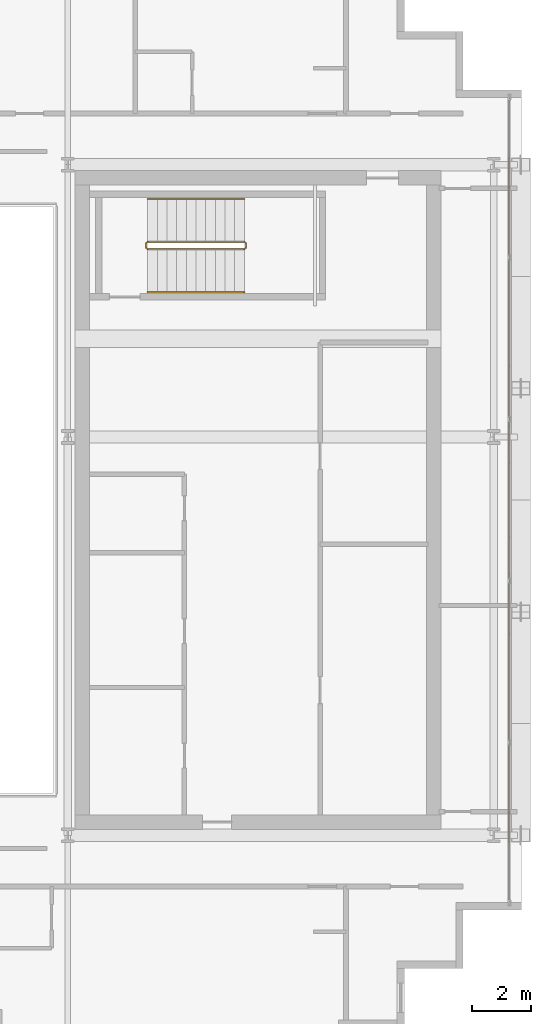
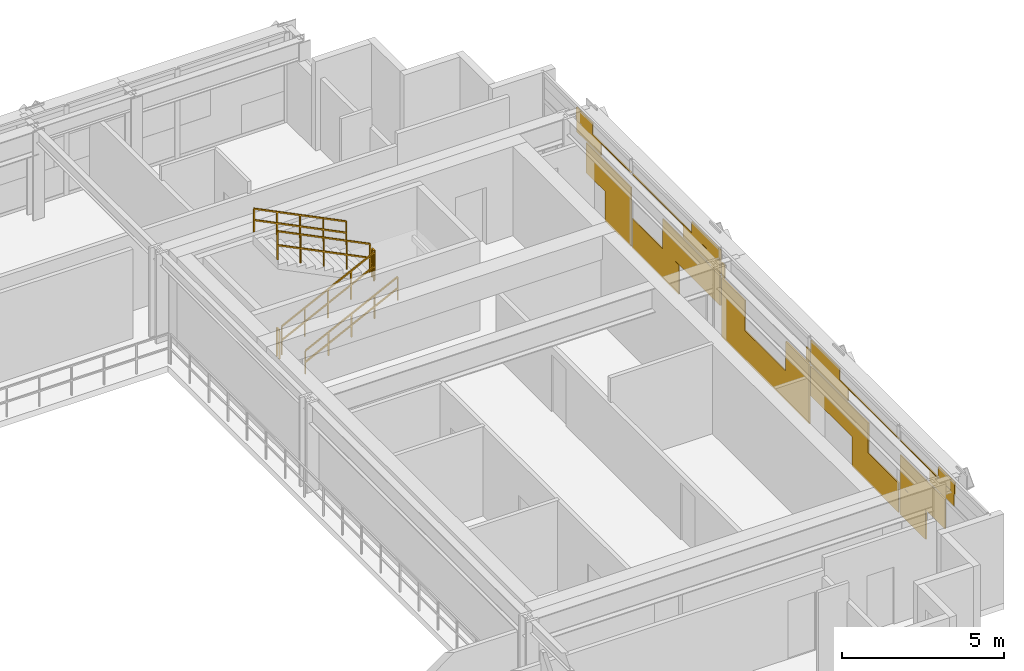
# One storey, part 30 of 31: 6 railings, 1 covering.
"""IFC4 building model written with IfcOpenShell, lengths in metres."""

from ifc_helpers import new_model, si_unit, direction, frame, origin, origin_2d, place, context, subcontext, project, spatial, rectangle, extrude, material, layer, layer_set, type_object, element, save


model = new_model("IFC4")

# Units and contexts
model_context = context("Model", 3, precision=1e-05, world=origin(), true_north=direction((0.0, 1.0)))
body_context = subcontext(model_context, "Body", "Model", "MODEL_VIEW")
ifc_project = project(units=[si_unit("LENGTHUNIT", "METRE"), si_unit("AREAUNIT", "SQUARE_METRE"), si_unit("VOLUMEUNIT", "CUBIC_METRE"), si_unit("PLANEANGLEUNIT", "RADIAN"), si_unit("MASSUNIT", "GRAM", prefix="KILO")], contexts=[model_context])

# Site, building, storey
site_placement = place(None, origin())
site = spatial("IfcSite", under=ifc_project, at=site_placement, CompositionType="ELEMENT")
building_placement = place(site_placement, origin())
building = spatial("IfcBuilding", under=site, at=building_placement, Name="Ocotamira Hotel", CompositionType="ELEMENT")
storey_placement = place(building_placement, frame((0.0, 0.0, 199.199951171875)))
storey = spatial("IfcBuildingStorey", under=building, at=storey_placement, Name="L50", CompositionType="ELEMENT", Elevation=199.199951171875)

# Covering
ifc_material_1 = material(Name="Insulated pale-metal aluminium spandrel panel", Category="aluminium")
ifc_layer = layer(ifc_material_1, 0.044921875)
ifc_layer_set = layer_set([ifc_layer], Name="Insulated pale-metal aluminium spandrel panel")
covering_type = type_object("IfcCoveringType", Name="COV-INFILL-45", PredefinedType="CLADDING", material=ifc_layer_set)
covering_placement = place(storey_placement, origin())
element("IfcCovering", 1, at=covering_placement, inside=storey, type_object=covering_type, Name="L50 Curtain Wall Infill CW-4 CW-L50-E", PredefinedType="CLADDING", context=body_context, shape_type="SweptSolid", body=[
    extrude(rectangle(XDim=2.782958984375, YDim=0.044921875, at=origin_2d()), frame((55.580078125, 16.2880859375, 1.1943359375), z_axis=(0.0, 0.0, 1.0), x_axis=(0.0, 1.0, 0.0)), (0.0, 0.0, 1.0), 1.11767578125),
    extrude(rectangle(XDim=1.596923828125, YDim=0.044921875, at=origin_2d()), frame((55.580078125, 16.881103515625, 0.07568359375), z_axis=(0.0, 0.0, 1.0), x_axis=(0.0, 1.0, 0.0)), (0.0, 0.0, 1.0), 1.117919921875),
    extrude(rectangle(XDim=3.38720703125, YDim=0.044921875, at=origin_2d()), frame((55.580078125, 15.98583984375, 2.848876953125), z_axis=(0.0, 0.0, 1.0), x_axis=(0.0, 1.0, 0.0)), (0.0, 0.0, 1.0), 0.033203125),
    extrude(rectangle(XDim=1.019287109375, YDim=0.044921875, at=origin_2d()), frame((55.580078125, 14.8017578125, 2.883056640625), z_axis=(0.0, 0.0, 1.0), x_axis=(0.0, 1.0, 0.0)), (0.0, 0.0, 1.0), 0.41162109375),
    extrude(rectangle(XDim=1.507568359375, YDim=0.044921875, at=origin_2d()), frame((55.580078125, 15.082275390625, 2.38818359375), z_axis=(0.0, 0.0, 1.0), x_axis=(0.0, 1.0, 0.0)), (0.0, 0.0, 1.0), 0.459716796875),
    extrude(rectangle(XDim=2.89013671875, YDim=0.044921875, at=origin_2d()), frame((55.580078125, 19.20556640625, 0.07568359375), z_axis=(0.0, 0.0, 1.0), x_axis=(0.0, 1.0, 0.0)), (0.0, 0.0, 1.0), 1.117919921875),
    extrude(rectangle(XDim=3.568115234375, YDim=0.044921875, at=origin_2d()), frame((55.580078125, 21.41552734375, 1.1943359375), z_axis=(0.0, 0.0, 1.0), x_axis=(0.0, 1.0, 0.0)), (0.0, 0.0, 1.0), 1.11767578125),
    extrude(rectangle(XDim=5.43896484375, YDim=0.044921875, at=origin_2d()), frame((55.580078125, 20.47998046875, 2.848876953125), z_axis=(0.0, 0.0, 1.0), x_axis=(0.0, 1.0, 0.0)), (0.0, 0.0, 1.0), 0.033203125),
    extrude(rectangle(XDim=2.302490234375, YDim=0.044921875, at=origin_2d()), frame((55.580078125, 22.04833984375, 2.38818359375), z_axis=(0.0, 0.0, 1.0), x_axis=(0.0, 1.0, 0.0)), (0.0, 0.0, 1.0), 0.459716796875),
    extrude(rectangle(XDim=1.777587890625, YDim=0.044921875, at=origin_2d()), frame((55.580078125, 22.310791015625, 2.883056640625), z_axis=(0.0, 0.0, 1.0), x_axis=(0.0, 1.0, 0.0)), (0.0, 0.0, 1.0), 0.41162109375),
    extrude(rectangle(XDim=5.43896484375, YDim=0.044921875, at=origin_2d()), frame((55.580078125, 26.0, 0.07568359375), z_axis=(0.0, 0.0, 1.0), x_axis=(0.0, 1.0, 0.0)), (0.0, 0.0, 1.0), 1.117919921875),
    extrude(rectangle(XDim=1.45458984375, YDim=0.044921875, at=origin_2d()), frame((55.580078125, 24.0078125, 1.1943359375), z_axis=(0.0, 0.0, 1.0), x_axis=(0.0, 1.0, 0.0)), (0.0, 0.0, 1.0), 1.11767578125),
    extrude(rectangle(XDim=1.45458984375, YDim=0.044921875, at=origin_2d()), frame((55.580078125, 27.9921875, 1.1943359375), z_axis=(0.0, 0.0, 1.0), x_axis=(0.0, 1.0, 0.0)), (0.0, 0.0, 1.0), 1.11767578125),
    extrude(rectangle(XDim=0.18896484375, YDim=0.044921875, at=origin_2d()), frame((55.580078125, 23.375, 2.38818359375), z_axis=(0.0, 0.0, 1.0), x_axis=(0.0, 1.0, 0.0)), (0.0, 0.0, 1.0), 0.493896484375),
    extrude(rectangle(XDim=0.18896484375, YDim=0.044921875, at=origin_2d()), frame((55.580078125, 28.625, 2.38818359375), z_axis=(0.0, 0.0, 1.0), x_axis=(0.0, 1.0, 0.0)), (0.0, 0.0, 1.0), 0.493896484375),
    extrude(rectangle(XDim=3.568115234375, YDim=0.044921875, at=origin_2d()), frame((55.580078125, 30.58447265625, 1.1943359375), z_axis=(0.0, 0.0, 1.0), x_axis=(0.0, 1.0, 0.0)), (0.0, 0.0, 1.0), 1.11767578125),
    extrude(rectangle(XDim=2.89013671875, YDim=0.044921875, at=origin_2d()), frame((55.580078125, 32.79443359375, 0.07568359375), z_axis=(0.0, 0.0, 1.0), x_axis=(0.0, 1.0, 0.0)), (0.0, 0.0, 1.0), 1.117919921875),
    extrude(rectangle(XDim=2.302490234375, YDim=0.044921875, at=origin_2d()), frame((55.580078125, 29.95166015625, 2.38818359375), z_axis=(0.0, 0.0, 1.0), x_axis=(0.0, 1.0, 0.0)), (0.0, 0.0, 1.0), 0.459716796875),
    extrude(rectangle(XDim=5.43896484375, YDim=0.044921875, at=origin_2d()), frame((55.580078125, 31.52001953125, 2.848876953125), z_axis=(0.0, 0.0, 1.0), x_axis=(0.0, 1.0, 0.0)), (0.0, 0.0, 1.0), 0.033203125),
    extrude(rectangle(XDim=1.777587890625, YDim=0.044921875, at=origin_2d()), frame((55.580078125, 29.689208984375, 2.883056640625), z_axis=(0.0, 0.0, 1.0), x_axis=(0.0, 1.0, 0.0)), (0.0, 0.0, 1.0), 0.41162109375),
    extrude(rectangle(XDim=1.596923828125, YDim=0.044921875, at=origin_2d()), frame((55.580078125, 35.118896484375, 0.07568359375), z_axis=(0.0, 0.0, 1.0), x_axis=(0.0, 1.0, 0.0)), (0.0, 0.0, 1.0), 1.117919921875),
    extrude(rectangle(XDim=2.782958984375, YDim=0.044921875, at=origin_2d()), frame((55.580078125, 35.7119140625, 1.1943359375), z_axis=(0.0, 0.0, 1.0), x_axis=(0.0, 1.0, 0.0)), (0.0, 0.0, 1.0), 1.11767578125),
    extrude(rectangle(XDim=3.38720703125, YDim=0.044921875, at=origin_2d()), frame((55.580078125, 36.01416015625, 2.848876953125), z_axis=(0.0, 0.0, 1.0), x_axis=(0.0, 1.0, 0.0)), (0.0, 0.0, 1.0), 0.033203125),
    extrude(rectangle(XDim=1.507568359375, YDim=0.044921875, at=origin_2d()), frame((55.580078125, 36.917724609375, 2.38818359375), z_axis=(0.0, 0.0, 1.0), x_axis=(0.0, 1.0, 0.0)), (0.0, 0.0, 1.0), 0.459716796875),
    extrude(rectangle(XDim=1.019287109375, YDim=0.044921875, at=origin_2d()), frame((55.580078125, 37.1982421875, 2.883056640625), z_axis=(0.0, 0.0, 1.0), x_axis=(0.0, 1.0, 0.0)), (0.0, 0.0, 1.0), 0.41162109375),
])

# Railings
ifc_material_2 = material(Name="Brushed stainless steel handrail", Category="steel")
railing_type_1 = type_object("IfcRailingType", Name="RL-HAND-900", PredefinedType="HANDRAIL", material=ifc_material_2)
railing_1_placement = place(storey_placement, frame((43.22998046875, 33.10009765625, 0.327392578125)))
element("IfcRailing", 2, at=railing_1_placement, inside=storey, type_object=railing_type_1, Name="L50 ST-4 stair handrail 1", PredefinedType="HANDRAIL", context=body_context, shape_type="SweptSolid", body=[
    extrude(rectangle(XDim=0.048095703125, YDim=0.048095703125, at=origin_2d()), frame((0.0, 0.0, 0.8759765625), z_axis=(0.895920123917, 0.0, 0.444215186098), x_axis=(0.0, 1.0, 0.0)), (0.0, 0.0, 1.0), 3.683349609375),
    extrude(rectangle(XDim=0.048095703125, YDim=0.048095703125, at=origin_2d()), frame((0.0, 0.0, 0.449951171875), z_axis=(0.895920123917, 0.0, 0.444215186098), x_axis=(0.0, 1.0, 0.0)), (0.0, 0.0, 1.0), 3.683349609375),
    extrude(rectangle(XDim=0.0419921875, YDim=0.0419921875, at=origin_2d()), origin(), (0.0, 0.0, 1.0), 0.851806640625),
    extrude(rectangle(XDim=0.0419921875, YDim=0.0419921875, at=origin_2d()), frame((0.824951171875, 0.0, 0.4091796875)), (0.0, 0.0, 1.0), 0.851806640625),
    extrude(rectangle(XDim=0.0419921875, YDim=0.0419921875, at=origin_2d()), frame((1.64990234375, 0.0, 0.818115234375)), (0.0, 0.0, 1.0), 0.851806640625),
    extrude(rectangle(XDim=0.0419921875, YDim=0.0419921875, at=origin_2d()), frame((2.47509765625, 0.0, 1.22705078125)), (0.0, 0.0, 1.0), 0.851806640625),
    extrude(rectangle(XDim=0.0419921875, YDim=0.0419921875, at=origin_2d()), frame((3.300048828125, 0.0, 1.63623046875)), (0.0, 0.0, 1.0), 0.851806640625),
])
railing_2_placement = place(storey_placement, frame((46.530029296875, 36.280029296875, 2.12744140625)))
element("IfcRailing", 3, at=railing_2_placement, inside=storey, type_object=railing_type_1, Name="L50 ST-4 stair handrail 2", PredefinedType="HANDRAIL", context=body_context, shape_type="SweptSolid", body=[
    extrude(rectangle(XDim=0.048095703125, YDim=0.048095703125, at=origin_2d()), frame((0.0, 0.0, 0.8759765625), z_axis=(-0.895920123917, 0.0, 0.444215186098), x_axis=(0.0, -1.0, 0.0)), (0.0, 0.0, 1.0), 3.683349609375),
    extrude(rectangle(XDim=0.048095703125, YDim=0.048095703125, at=origin_2d()), frame((0.0, 0.0, 0.449951171875), z_axis=(-0.895920123917, 0.0, 0.444215186098), x_axis=(0.0, -1.0, 0.0)), (0.0, 0.0, 1.0), 3.683349609375),
    extrude(rectangle(XDim=0.0419921875, YDim=0.0419921875, at=origin_2d()), origin(), (0.0, 0.0, 1.0), 0.851806640625),
    extrude(rectangle(XDim=0.0419921875, YDim=0.0419921875, at=origin_2d()), frame((-0.824951171875, 0.0, 0.4091796875)), (0.0, 0.0, 1.0), 0.851806640625),
    extrude(rectangle(XDim=0.0419921875, YDim=0.0419921875, at=origin_2d()), frame((-1.64990234375, 0.0, 0.818115234375)), (0.0, 0.0, 1.0), 0.851806640625),
    extrude(rectangle(XDim=0.0419921875, YDim=0.0419921875, at=origin_2d()), frame((-2.47509765625, 0.0, 1.22705078125)), (0.0, 0.0, 1.0), 0.851806640625),
    extrude(rectangle(XDim=0.0419921875, YDim=0.0419921875, at=origin_2d()), frame((-3.300048828125, 0.0, 1.63623046875)), (0.0, 0.0, 1.0), 0.851806640625),
])
ifc_material_3 = material(Name="Painted steel stair guardrail", Category="steel")
railing_type_2 = type_object("IfcRailingType", Name="RL-STAIR-1100", PredefinedType="GUARDRAIL", material=ifc_material_3)
railing_3_placement = place(storey_placement, frame((43.22998046875, 34.56005859375, 0.16357421875)))
element("IfcRailing", 4, at=railing_3_placement, inside=storey, type_object=railing_type_2, Name="L50 ST-4 stair guard 1", PredefinedType="GUARDRAIL", context=body_context, shape_type="SweptSolid", body=[
    extrude(rectangle(XDim=0.048095703125, YDim=0.048095703125, at=origin_2d()), frame((0.0, 0.0, 1.076171875), z_axis=(0.895893744519, 0.0, 0.4442683857), x_axis=(0.0, 1.0, 0.0)), (0.0, 0.0, 1.0), 3.68359375),
    extrude(rectangle(XDim=0.048095703125, YDim=0.048095703125, at=origin_2d()), frame((0.0, 0.0, 0.550048828125), z_axis=(0.895893744519, 0.0, 0.4442683857), x_axis=(0.0, 1.0, 0.0)), (0.0, 0.0, 1.0), 3.68359375),
    extrude(rectangle(XDim=0.0419921875, YDim=0.0419921875, at=origin_2d()), origin(), (0.0, 0.0, 1.0), 1.052001953125),
    extrude(rectangle(XDim=0.0419921875, YDim=0.0419921875, at=origin_2d()), frame((0.824951171875, 0.0, 0.4091796875)), (0.0, 0.0, 1.0), 1.052001953125),
    extrude(rectangle(XDim=0.0419921875, YDim=0.0419921875, at=origin_2d()), frame((1.64990234375, 0.0, 0.818359375)), (0.0, 0.0, 1.0), 1.052001953125),
    extrude(rectangle(XDim=0.0419921875, YDim=0.0419921875, at=origin_2d()), frame((2.47509765625, 0.0, 1.227294921875)), (0.0, 0.0, 1.0), 1.052001953125),
    extrude(rectangle(XDim=0.0419921875, YDim=0.0419921875, at=origin_2d()), frame((3.300048828125, 0.0, 1.636474609375)), (0.0, 0.0, 1.0), 1.052001953125),
])
railing_4_placement = place(storey_placement, frame((46.580078125, 34.610107421875, 1.800048828125)))
element("IfcRailing", 5, at=railing_4_placement, inside=storey, type_object=railing_type_2, Name="L50 ST-4 stair guard 2", PredefinedType="GUARDRAIL", context=body_context, shape_type="SweptSolid", body=[
    extrude(rectangle(XDim=0.048095703125, YDim=0.048095703125, at=origin_2d()), frame((0.0, 0.0, 1.076171875), z_axis=(0.0, 1.0, 0.0), x_axis=(-1.0, 0.0, 0.0)), (0.0, 0.0, 1.0), 0.159912109375),
    extrude(rectangle(XDim=0.048095703125, YDim=0.048095703125, at=origin_2d()), frame((0.0, 0.0, 0.550048828125), z_axis=(0.0, 1.0, 0.0), x_axis=(-1.0, 0.0, 0.0)), (0.0, 0.0, 1.0), 0.159912109375),
    extrude(rectangle(XDim=0.0419921875, YDim=0.0419921875, at=origin_2d()), origin(), (0.0, 0.0, 1.0), 1.052001953125),
    extrude(rectangle(XDim=0.0419921875, YDim=0.0419921875, at=origin_2d()), frame((0.0, 0.159912109375, 0.0)), (0.0, 0.0, 1.0), 1.052001953125),
])
railing_5_placement = place(storey_placement, frame((46.530029296875, 34.820068359375, 1.963623046875)))
element("IfcRailing", 6, at=railing_5_placement, inside=storey, type_object=railing_type_2, Name="L50 ST-4 stair guard 3", PredefinedType="GUARDRAIL", context=body_context, shape_type="SweptSolid", body=[
    extrude(rectangle(XDim=0.048095703125, YDim=0.048095703125, at=origin_2d()), frame((0.0, 0.0, 1.076171875), z_axis=(-0.895893744519, 0.0, 0.4442683857), x_axis=(0.0, -1.0, 0.0)), (0.0, 0.0, 1.0), 3.68359375),
    extrude(rectangle(XDim=0.048095703125, YDim=0.048095703125, at=origin_2d()), frame((0.0, 0.0, 0.550048828125), z_axis=(-0.895893744519, 0.0, 0.4442683857), x_axis=(0.0, -1.0, 0.0)), (0.0, 0.0, 1.0), 3.68359375),
    extrude(rectangle(XDim=0.0419921875, YDim=0.0419921875, at=origin_2d()), origin(), (0.0, 0.0, 1.0), 1.052001953125),
    extrude(rectangle(XDim=0.0419921875, YDim=0.0419921875, at=origin_2d()), frame((-0.824951171875, 0.0, 0.4091796875)), (0.0, 0.0, 1.0), 1.052001953125),
    extrude(rectangle(XDim=0.0419921875, YDim=0.0419921875, at=origin_2d()), frame((-1.64990234375, 0.0, 0.818359375)), (0.0, 0.0, 1.0), 1.052001953125),
    extrude(rectangle(XDim=0.0419921875, YDim=0.0419921875, at=origin_2d()), frame((-2.47509765625, 0.0, 1.227294921875)), (0.0, 0.0, 1.0), 1.052001953125),
    extrude(rectangle(XDim=0.0419921875, YDim=0.0419921875, at=origin_2d()), frame((-3.300048828125, 0.0, 1.636474609375)), (0.0, 0.0, 1.0), 1.052001953125),
])
railing_6_placement = place(storey_placement, frame((43.179931640625, 34.610107421875, 0.0)))
element("IfcRailing", 7, at=railing_6_placement, inside=storey, type_object=railing_type_2, Name="L50 ST-4 stair guard 4", PredefinedType="GUARDRAIL", context=body_context, shape_type="SweptSolid", body=[
    extrude(rectangle(XDim=0.048095703125, YDim=0.048095703125, at=origin_2d()), frame((0.0, 0.0, 1.076171875), z_axis=(0.0, 1.0, 0.0), x_axis=(-1.0, 0.0, 0.0)), (0.0, 0.0, 1.0), 0.159912109375),
    extrude(rectangle(XDim=0.048095703125, YDim=0.048095703125, at=origin_2d()), frame((0.0, 0.0, 0.550048828125), z_axis=(0.0, 1.0, 0.0), x_axis=(-1.0, 0.0, 0.0)), (0.0, 0.0, 1.0), 0.159912109375),
    extrude(rectangle(XDim=0.0419921875, YDim=0.0419921875, at=origin_2d()), origin(), (0.0, 0.0, 1.0), 1.052001953125),
    extrude(rectangle(XDim=0.0419921875, YDim=0.0419921875, at=origin_2d()), frame((0.0, 0.159912109375, 0.0)), (0.0, 0.0, 1.0), 1.052001953125),
])

save(model, "model.ifc")
